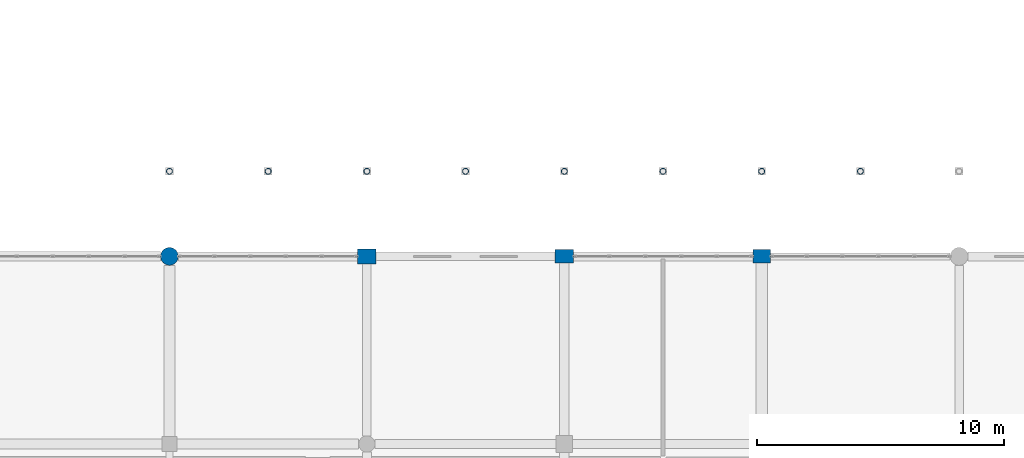
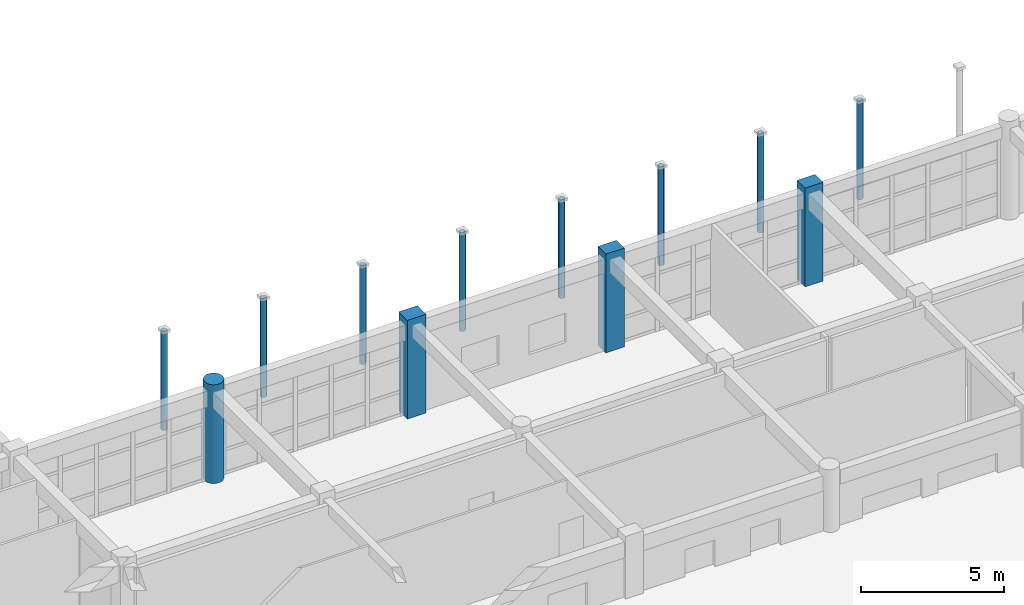
# One storey, part 8 of 195: 12 columns.
"""IFC4 building model written with IfcOpenShell, lengths in metres."""

from ifc_helpers import new_model, si_unit, direction, frame, origin, origin_2d, place, context, subcontext, project, spatial, rectangle, circle, hollow_circle, extrude, material, material_profile, profile_set, type_object, element, save


model = new_model("IFC4")

# Units and contexts
model_context = context("Model", 3, precision=1e-05, world=origin(), true_north=direction((0.0, 1.0)))
body_context = subcontext(model_context, "Body", "Model", "MODEL_VIEW")
ifc_project = project(units=[si_unit("LENGTHUNIT", "METRE"), si_unit("AREAUNIT", "SQUARE_METRE"), si_unit("VOLUMEUNIT", "CUBIC_METRE"), si_unit("PLANEANGLEUNIT", "RADIAN"), si_unit("MASSUNIT", "GRAM", prefix="KILO")], contexts=[model_context])

# Site, building, storey
site_placement = place(None, origin())
site = spatial("IfcSite", under=ifc_project, at=site_placement, CompositionType="ELEMENT")
building_placement = place(site_placement, origin())
building = spatial("IfcBuilding", under=site, at=building_placement, Name="Kharva Crest Polytechnic", CompositionType="ELEMENT")
storey_placement = place(building_placement, frame((0.0, 0.0, 9.0)))
storey = spatial("IfcBuildingStorey", under=building, at=storey_placement, Name="L02", CompositionType="ELEMENT", Elevation=9.0)

# Columns
ifc_material_1 = material(Name="Concrete C40/50", Category="concrete")
ifc_material_profile_1 = material_profile(ifc_material_1, rectangle(XDim=0.719970703125, YDim=0.550048828125, at=origin_2d()), Name="RECT 720 X 550")
ifc_profile_set_1 = profile_set([ifc_material_profile_1], Name="Concrete C40/50")
column_type_1 = type_object("IfcColumnType", Name="COL-EXT-720X550", PredefinedType="COLUMN", material=ifc_profile_set_1)
column_1_placement = place(storey_placement, frame((88.0, 22.800048828125, 0.0), z_axis=(0.0, 0.0, 1.0), x_axis=(1.0, 0.0, 0.0)))
element("IfcColumn", 1, at=column_1_placement, inside=storey, type_object=column_type_1, Name="L02 Column 12/D", PredefinedType="COLUMN", context=body_context, shape_type="SweptSolid", body=[
    extrude(rectangle(XDim=0.719970703125, YDim=0.550048828125, at=origin_2d()), origin(), (0.0, 0.0, 1.0), 4.199951171875),
])
ifc_material_profile_2 = material_profile(ifc_material_1, rectangle(XDim=0.75, YDim=0.550048828125, at=origin_2d()), Name="RECT 750 X 550")
ifc_profile_set_2 = profile_set([ifc_material_profile_2], Name="Concrete C40/50")
column_type_2 = type_object("IfcColumnType", Name="COL-EXT-750X550", PredefinedType="COLUMN", material=ifc_profile_set_2)
column_2_placement = place(storey_placement, frame((80.0, 22.800048828125, 0.0), z_axis=(0.0, 0.0, 1.0), x_axis=(1.0, 0.0, 0.0)))
element("IfcColumn", 2, at=column_2_placement, inside=storey, type_object=column_type_2, Name="L02 Column 11/D", PredefinedType="COLUMN", context=body_context, shape_type="SweptSolid", body=[
    extrude(rectangle(XDim=0.75, YDim=0.550048828125, at=origin_2d()), origin(), (0.0, 0.0, 1.0), 4.199951171875),
])
ifc_material_profile_3 = material_profile(ifc_material_1, rectangle(XDim=0.75, YDim=0.60009765625, at=origin_2d()), Name="RECT 750 X 600")
ifc_profile_set_3 = profile_set([ifc_material_profile_3], Name="Concrete C40/50")
column_type_3 = type_object("IfcColumnType", Name="COL-EXT-750X600", PredefinedType="COLUMN", material=ifc_profile_set_3)
column_3_placement = place(storey_placement, frame((72.0, 22.800048828125, 0.0), z_axis=(0.0, 0.0, 1.0), x_axis=(1.0, 0.0, 0.0)))
element("IfcColumn", 3, at=column_3_placement, inside=storey, type_object=column_type_3, Name="L02 Column 10/D", PredefinedType="COLUMN", context=body_context, shape_type="SweptSolid", body=[
    extrude(rectangle(XDim=0.75, YDim=0.60009765625, at=origin_2d()), origin(), (0.0, 0.0, 1.0), 4.199951171875),
])
ifc_material_profile_4 = material_profile(ifc_material_1, circle(Radius=0.360107421875, at=origin_2d()), Name="DIA 720")
ifc_profile_set_4 = profile_set([ifc_material_profile_4], Name="Concrete C40/50")
column_type_4 = type_object("IfcColumnType", Name="COL-EXT-DIA720", PredefinedType="COLUMN", material=ifc_profile_set_4)
column_4_placement = place(storey_placement, frame((64.0, 22.800048828125, 0.0), z_axis=(0.0, 0.0, 1.0), x_axis=(1.0, 0.0, 0.0)))
element("IfcColumn", 4, at=column_4_placement, inside=storey, type_object=column_type_4, Name="L02 Column 9/D", PredefinedType="COLUMN", context=body_context, shape_type="SweptSolid", body=[
    extrude(circle(Radius=0.360107421875, at=origin_2d()), origin(), (0.0, 0.0, 1.0), 4.199951171875),
])
ifc_material_2 = material(Name="Steel S355", Category="steel")
ifc_material_profile_5 = material_profile(ifc_material_2, hollow_circle(Radius=0.122314453125, WallThickness=0.010009765625, at=origin_2d()), Name="CHS 244.5X10.0")
ifc_profile_set_5 = profile_set([ifc_material_profile_5], Name="Steel S355")
column_type_5 = type_object("IfcColumnType", Name="COL-STL-CHS244", PredefinedType="COLUMN", material=ifc_profile_set_5)
for number, where, z_axis, x_axis, name in (
    (5, (64.0, 26.25, 0.0), (0.0, 0.0, 1.0), (1.0, 0.0, 0.0), "L02 Colonnade Column VS01"),
    (6, (72.0, 26.25, 0.0), (0.0, 0.0, 1.0), (1.0, 0.0, 0.0), "L02 Colonnade Column VS02"),
    (7, (80.0, 26.25, 0.0), (0.0, 0.0, 1.0), (1.0, 0.0, 0.0), "L02 Colonnade Column VS03"),
    (8, (88.0, 26.25, 0.0), (0.0, 0.0, 1.0), (1.0, 0.0, 0.0), "L02 Colonnade Column VS04"),
    (9, (68.0, 26.25, 0.0), (0.0, 0.0, 1.0), (1.0, 0.0, 0.0), "L02 Colonnade Mid Column VSM01"),
    (10, (76.0, 26.25, 0.0), (0.0, 0.0, 1.0), (1.0, 0.0, 0.0), "L02 Colonnade Mid Column VSM02"),
    (11, (84.0, 26.25, 0.0), (0.0, 0.0, 1.0), (1.0, 0.0, 0.0), "L02 Colonnade Mid Column VSM03"),
    (12, (92.0, 26.25, 0.0), (0.0, 0.0, 1.0), (1.0, 0.0, 0.0), "L02 Colonnade Mid Column VSM04"),
):
    element("IfcColumn", number, at=place(storey_placement, frame(where, z_axis=z_axis, x_axis=x_axis)), inside=storey, type_object=column_type_5, Name=name, PredefinedType="COLUMN", context=body_context, shape_type="SweptSolid", body=[
        extrude(hollow_circle(Radius=0.122314453125, WallThickness=0.010009765625, at=origin_2d()), origin(), (0.0, 0.0, 1.0), 4.199951171875),
    ])

save(model, "model.ifc")
